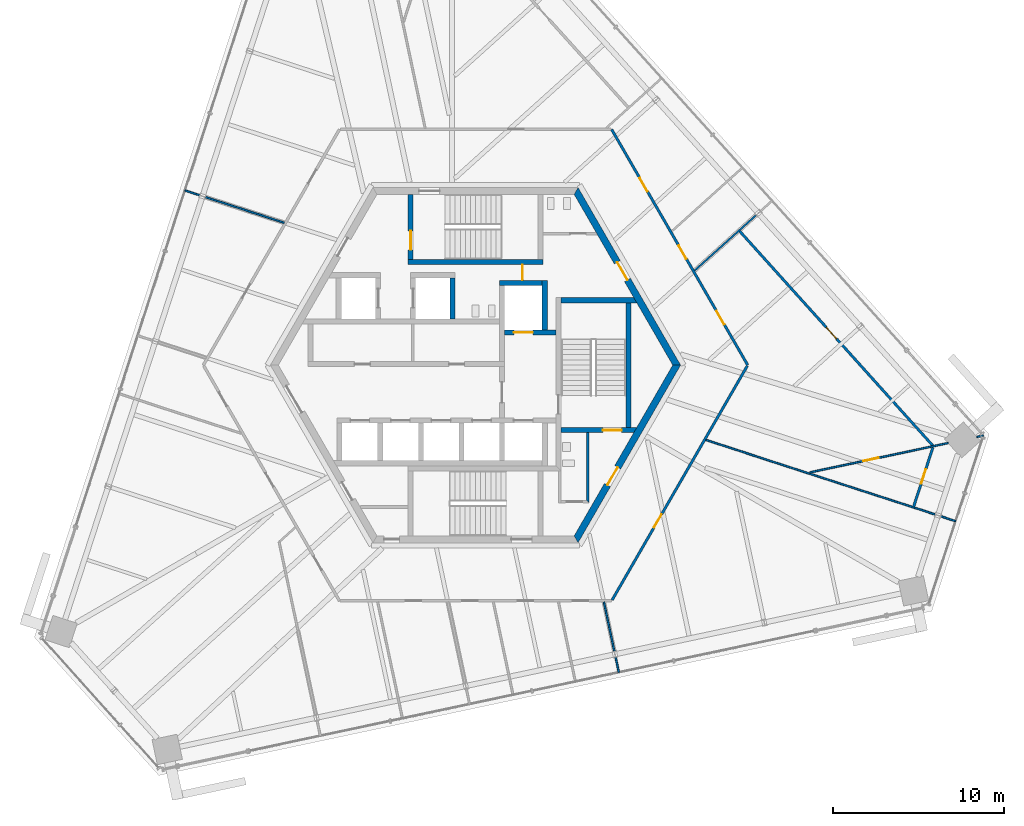
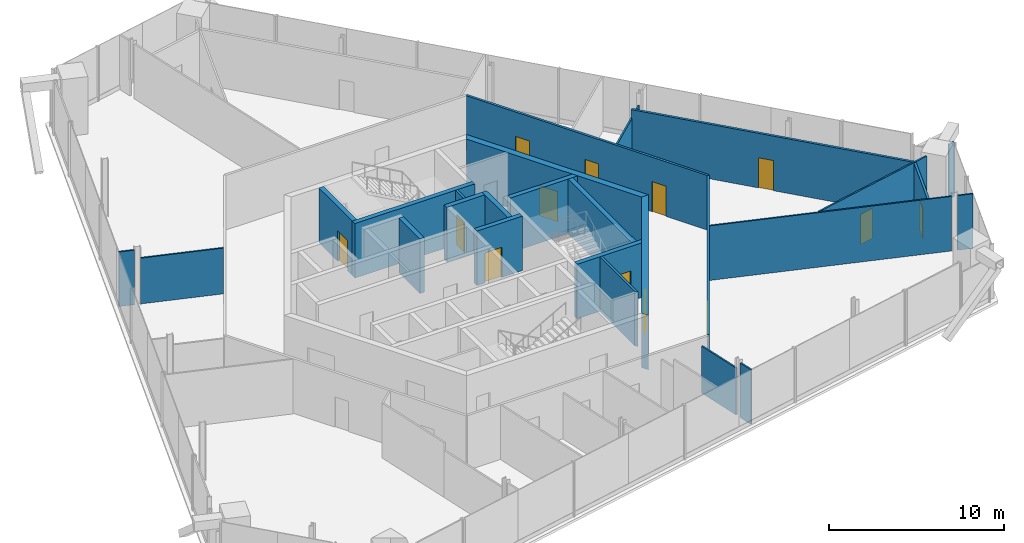
# One storey, part 12 of 16: 26 walls, 13 doors, 13 openings.
"""IFC4 building model written with IfcOpenShell, lengths in metres."""

from ifc_helpers import new_model, si_unit, direction, frame, frame_2d, origin, place, context, subcontext, project, spatial, polyline, rectangle, outline, extrude, source, transform, mapped, material, layer, layer_set, type_object, element, fill, save


model = new_model("IFC4")

# Units and contexts
model_context = context("Model", 3, precision=1e-05, world=origin(), true_north=direction((0.0, 1.0)))
body_context = subcontext(model_context, "Body", "Model", "MODEL_VIEW")
ifc_project = project(units=[si_unit("LENGTHUNIT", "METRE"), si_unit("AREAUNIT", "SQUARE_METRE"), si_unit("VOLUMEUNIT", "CUBIC_METRE"), si_unit("PLANEANGLEUNIT", "RADIAN"), si_unit("MASSUNIT", "GRAM", prefix="KILO")], contexts=[model_context])

# Site, building, storey
site_placement = place(None, origin())
site = spatial("IfcSite", under=ifc_project, at=site_placement, CompositionType="ELEMENT")
building_placement = place(site_placement, origin())
building = spatial("IfcBuilding", under=site, at=building_placement, Name="Triune Harvest Tower", CompositionType="ELEMENT")
storey_placement = place(building_placement, frame((0.0, 0.0, 292.699951171875)))
storey = spatial("IfcBuildingStorey", under=building, at=storey_placement, Name="L77", CompositionType="ELEMENT", Elevation=292.699951171875)

# Wall
ifc_material_1 = material(Name="Concrete masonry unit", Category="masonry")
ifc_layer_1 = layer(ifc_material_1, 0.14990234375)
ifc_layer_set_1 = layer_set([ifc_layer_1], Name="Concrete masonry unit")
wall_type_1 = type_object("IfcWallType", Name="Block partition 150 unrated", PredefinedType="PARTITIONING", material=ifc_layer_set_1)
wall_1_placement = place(storey_placement, frame((6.574951171875, -8.0, 0.0), z_axis=(0.0, 0.0, 1.0), x_axis=(0.0, 1.0, 0.0)))
element("IfcWall", 1, at=wall_1_placement, inside=storey, type_object=wall_type_1, Name="Wc acc east wall", PredefinedType="PARTITIONING", context=body_context, shape_type="SweptSolid", body=[
    extrude(outline(polyline([(-0.074951171875, -0.074951171875), (4.050048828125, -0.074951171875), (4.050048828125, 0.074951171875), (0.074951171875, 0.074951171875), (-0.074951171875, -0.074951171875)])), origin(), (0.0, 0.0, 1.0), 3.800048828125),
])

# Wall, opening, door
wall_2_placement = place(storey_placement, frame((2.75, 4.9599609375, 0.0), z_axis=(0.0, 0.0, 1.0), x_axis=(0.0, 1.0, 0.0)))
wall_2 = element("IfcWall", 2, at=wall_2_placement, inside=storey, type_object=wall_type_1, Name="Wc men east b wall", PredefinedType="PARTITIONING", context=body_context, shape_type="SweptSolid", body=[
    extrude(rectangle(XDim=0.929931640625, YDim=0.14990234375, at=frame_2d((0.46484375, 0.0))), origin(), (0.0, 0.0, 1.0), 3.800048828125),
])
opening_1_placement = place(wall_2_placement, frame((0.014892578125, 0.0, 0.0)))
opening_1 = element("IfcOpeningElement", 3, at=opening_1_placement, cuts=wall_2, Name="Opening CD-WM", PredefinedType="OPENING", context=body_context, shape_type="SweptSolid", body=[
    extrude(rectangle(XDim=0.89990234375, YDim=2.10009765625, at=frame_2d((0.449951171875, 1.050048828125))), frame((0.0, 0.0849609375, 0.0), z_axis=(0.0, -1.0, 0.0), x_axis=(1.0, 0.0, 0.0)), (0.0, 0.0, 1.0), 0.169921875),
])
ifc_material_2 = material(Name="Timber C24", Category="wood")
door_type_1 = type_object("IfcDoorType", Name="WC door 900", OperationType="SINGLE_SWING_LEFT", PredefinedType="DOOR", material=ifc_material_2)
door_1_placement = place(opening_1_placement, origin())
door_1 = element("IfcDoor", 4, at=door_1_placement, inside=storey, type_object=door_type_1, Name="Door CD-WM", OperationType="SINGLE_SWING_LEFT", OverallHeight=2.10009765625, OverallWidth=0.89990234375, PredefinedType="DOOR", context=body_context, shape_type="SweptSolid", body=[
    extrude(rectangle(XDim=0.89990234375, YDim=2.10009765625, at=frame_2d((0.449951171875, 1.050048828125))), frame((0.0, 0.02490234375, 0.0), z_axis=(0.0, -1.0, 0.0), x_axis=(1.0, 0.0, 0.0)), (0.0, 0.0, 1.0), 0.050048828125),
])
fill(opening_1, door_1)

# Walls
ifc_material_3 = material(Name="Concrete 70 MPa", Category="concrete")
ifc_layer_2 = layer(ifc_material_3, 0.300048828125)
ifc_layer_set_2 = layer_set([ifc_layer_2], Name="Concrete 70 MPa")
wall_type_2 = type_object("IfcWallType", Name="Core wall 300", PredefinedType="SHEAR", material=ifc_layer_set_2)
wall_3_placement = place(storey_placement, frame((4.050048828125, 2.06005859375, 0.0), z_axis=(0.0, 0.0, 1.0), x_axis=(0.0, 1.0, 0.0)))
element("IfcWall", 5, at=wall_3_placement, inside=storey, type_object=wall_type_2, Name="Ff1 east wall", PredefinedType="SHEAR", context=body_context, shape_type="SweptSolid", body=[
    extrude(rectangle(XDim=2.89990234375, YDim=0.300048828125, at=frame_2d((1.449951171875, 0.0))), origin(), (0.0, 0.0, 1.0), 3.800048828125),
])
wall_4_placement = place(storey_placement, frame((5.0, 3.800048828125, 0.0), z_axis=(0.0, 0.0, 1.0), x_axis=(1.0, 0.0, 0.0)))
element("IfcWall", 6, at=wall_4_placement, inside=storey, type_object=wall_type_2, Name="Stair e north wall", PredefinedType="SHEAR", context=body_context, shape_type="SweptSolid", body=[
    extrude(outline(polyline([(0.0, -0.14990234375), (0.0, 0.14990234375), (4.260009765625, 0.14990234375), (4.43310546875, -0.14990234375), (0.0, -0.14990234375)])), origin(), (0.0, 0.0, 1.0), 3.800048828125),
])

# Wall, opening, door
wall_5_placement = place(storey_placement, frame((5.0, -3.800048828125, 0.0), z_axis=(0.0, 0.0, 1.0), x_axis=(1.0, 0.0, 0.0)))
wall_5 = element("IfcWall", 7, at=wall_5_placement, inside=storey, type_object=wall_type_2, Name="Stair e south wall", PredefinedType="SHEAR", context=body_context, shape_type="SweptSolid", body=[
    extrude(outline(polyline([(0.0, -0.14990234375), (0.0, 0.14990234375), (4.43310546875, 0.14990234375), (4.260009765625, -0.14990234375), (0.0, -0.14990234375)])), origin(), (0.0, 0.0, 1.0), 3.800048828125),
])
opening_2_placement = place(wall_5_placement, frame((2.449951171875, 0.0, 0.0)))
opening_2 = element("IfcOpeningElement", 8, at=opening_2_placement, cuts=wall_5, Name="Opening CD-S3D", PredefinedType="OPENING", context=body_context, shape_type="SweptSolid", body=[
    extrude(rectangle(XDim=1.10009765625, YDim=2.10009765625, at=frame_2d((0.550048828125, 1.050048828125))), frame((0.0, 0.16015625, 0.0), z_axis=(0.0, -1.0, 0.0), x_axis=(1.0, 0.0, 0.0)), (0.0, 0.0, 1.0), 0.320068359375),
])
ifc_material_4 = material(Name="Steel S235", Category="steel")
door_type_2 = type_object("IfcDoorType", Name="Stair door 1100 FD120", OperationType="SINGLE_SWING_LEFT", PredefinedType="DOOR", material=ifc_material_4)
door_2_placement = place(opening_2_placement, frame((1.10009765625, 0.0, 0.0), z_axis=(0.0, 0.0, 1.0), x_axis=(-1.0, 0.0, 0.0)))
door_2 = element("IfcDoor", 9, at=door_2_placement, inside=storey, type_object=door_type_2, Name="Door CD-S3D", OperationType="SINGLE_SWING_RIGHT", OverallHeight=2.10009765625, OverallWidth=1.10009765625, PredefinedType="DOOR", context=body_context, shape_type="SweptSolid", body=[
    extrude(rectangle(XDim=1.10009765625, YDim=2.10009765625, at=frame_2d((0.550048828125, 1.050048828125))), frame((0.0, 0.02490234375, 0.0), z_axis=(0.0, -1.0, 0.0), x_axis=(1.0, 0.0, 0.0)), (0.0, 0.0, 1.0), 0.050048828125),
])
fill(opening_2, door_2)

# Walls
wall_6_placement = place(storey_placement, frame((8.949951171875, -3.64990234375, 0.0), z_axis=(0.0, 0.0, 1.0), x_axis=(0.0, 1.0, 0.0)))
element("IfcWall", 10, at=wall_6_placement, inside=storey, type_object=wall_type_2, Name="Stair e east wall", PredefinedType="SHEAR", context=body_context, shape_type="SweptSolid", body=[
    extrude(rectangle(XDim=7.2998046875, YDim=0.300048828125, at=frame_2d((3.64990234375, 0.0))), origin(), (0.0, 0.0, 1.0), 3.800048828125),
])
wall_7_placement = place(storey_placement, frame((-3.949951171875, 6.0400390625, 0.0), z_axis=(0.0, 0.0, 1.0), x_axis=(1.0, 0.0, 0.0)))
element("IfcWall", 11, at=wall_7_placement, inside=storey, type_object=wall_type_2, Name="Stair n south wall", PredefinedType="SHEAR", context=body_context, shape_type="SweptSolid", body=[
    extrude(rectangle(XDim=7.89990234375, YDim=0.300048828125, at=frame_2d((3.949951171875, 0.0))), origin(), (0.0, 0.0, 1.0), 3.800048828125),
])

# Wall, opening, door
ifc_material_5 = material(Name="Gypsum board on steel studs", Category="steel")
ifc_layer_3 = layer(ifc_material_5, 0.14990234375)
ifc_layer_set_3 = layer_set([ifc_layer_3], Name="Gypsum board on steel studs")
wall_type_3 = type_object("IfcWallType", Name="Fire Partition 150 mm", PredefinedType="PARTITIONING", material=ifc_layer_set_3)
wall_8_placement = place(storey_placement, frame((15.419921875, 7.876953125, 0.0), z_axis=(0.0, 0.0, 1.0), x_axis=(0.669124370001, -0.743150440672, 0.0)))
wall_8 = element("IfcWall", 12, at=wall_8_placement, inside=storey, type_object=wall_type_3, Name="Partition L77 015", PredefinedType="PARTITIONING", context=body_context, shape_type="SweptSolid", body=[
    extrude(rectangle(XDim=16.981689453125, YDim=0.14990234375, at=frame_2d((8.49072265625, 0.0))), origin(), (0.0, 0.0, 1.0), 3.800048828125),
])
opening_3_placement = place(wall_8_placement, frame((7.631591796875, 0.0, 0.0)))
opening_3 = element("IfcOpeningElement", 13, at=opening_3_placement, cuts=wall_8, Name="Opening L77-002", PredefinedType="OPENING", context=body_context, shape_type="SweptSolid", body=[
    extrude(rectangle(XDim=0.89990234375, YDim=2.10009765625, at=frame_2d((0.449951171875, 1.050048828125))), frame((0.0, 0.0849609375, 0.0), z_axis=(0.0, -1.0, 0.0), x_axis=(1.0, 0.0, 0.0)), (0.0, 0.0, 1.0), 0.169921875),
])
ifc_material_6 = material(Name="Timber and steel door set", Category="steel")
door_type_3 = type_object("IfcDoorType", Name="Single leaf door FD30 left hand 900 x 2100", OperationType="SINGLE_SWING_LEFT", PredefinedType="DOOR", material=ifc_material_6)
door_3_placement = place(opening_3_placement, origin())
door_3 = element("IfcDoor", 14, at=door_3_placement, inside=storey, type_object=door_type_3, Name="Door L77-002 Dry Store Room 77.02", OperationType="SINGLE_SWING_LEFT", OverallHeight=2.10009765625, OverallWidth=0.89990234375, PredefinedType="DOOR", context=body_context, shape_type="SweptSolid", body=[
    extrude(rectangle(XDim=0.89990234375, YDim=2.10009765625, at=frame_2d((0.449951171875, 1.050048828125))), frame((0.0, 0.02490234375, 0.0), z_axis=(0.0, -1.0, 0.0), x_axis=(1.0, 0.0, 0.0)), (0.0, 0.0, 1.0), 0.050048828125),
])
fill(opening_3, door_3)

wall_9_placement = place(storey_placement, frame((7.988037109375, -13.7490234375, 0.0), z_axis=(0.0, 0.0, 1.0), x_axis=(0.499989971604, 0.866031193604, 0.0)))
wall_9 = element("IfcWall", 15, at=wall_9_placement, inside=storey, type_object=wall_type_3, Name="Partition L77 033", PredefinedType="PARTITIONING", context=body_context, shape_type="SweptSolid", body=[
    extrude(rectangle(XDim=15.825927734375, YDim=0.14990234375, at=frame_2d((7.9130859375, 0.0))), origin(), (0.0, 0.0, 1.0), 3.800048828125),
])
opening_4_placement = place(wall_9_placement, frame((4.89990234375, 0.0, 0.0)))
opening_4 = element("IfcOpeningElement", 16, at=opening_4_placement, cuts=wall_9, Name="Opening L77-018", PredefinedType="OPENING", context=body_context, shape_type="SweptSolid", body=[
    extrude(rectangle(XDim=0.89990234375, YDim=2.10009765625, at=frame_2d((0.449951171875, 1.050048828125))), frame((0.0, 0.0849609375, 0.0), z_axis=(0.0, -1.0, 0.0), x_axis=(1.0, 0.0, 0.0)), (0.0, 0.0, 1.0), 0.169921875),
])
ifc_material_7 = material(Name="Timber and steel door set", Category="steel")
door_type_4 = type_object("IfcDoorType", Name="Single leaf door FD30 right hand 900 x 2100", OperationType="SINGLE_SWING_RIGHT", PredefinedType="DOOR", material=ifc_material_7)
door_4_placement = place(opening_4_placement, origin())
door_4 = element("IfcDoor", 17, at=door_4_placement, inside=storey, type_object=door_type_4, Name="Door L77-018 Conference Meeting Room 77.18", OperationType="SINGLE_SWING_RIGHT", OverallHeight=2.10009765625, OverallWidth=0.89990234375, PredefinedType="DOOR", context=body_context, shape_type="SweptSolid", body=[
    extrude(rectangle(XDim=0.89990234375, YDim=2.10009765625, at=frame_2d((0.449951171875, 1.050048828125))), frame((0.0, 0.02490234375, 0.0), z_axis=(0.0, -1.0, 0.0), x_axis=(1.0, 0.0, 0.0)), (0.0, 0.0, 1.0), 0.050048828125),
])
fill(opening_4, door_4)

wall_10_placement = place(storey_placement, frame((25.62841796875, -8.295654296875, 0.0), z_axis=(0.0, 0.0, 1.0), x_axis=(0.309006037064, 0.951060076471, 0.0)))
wall_10 = element("IfcWall", 18, at=wall_10_placement, inside=storey, type_object=wall_type_3, Name="Partition L77 035", PredefinedType="PARTITIONING", context=body_context, shape_type="SweptSolid", body=[
    extrude(rectangle(XDim=3.65576171875, YDim=0.14990234375, at=frame_2d((1.827880859375, 0.0))), origin(), (0.0, 0.0, 1.0), 3.800048828125),
])
opening_5_placement = place(wall_10_placement, frame((1.419921875, 0.0, 0.0)))
opening_5 = element("IfcOpeningElement", 19, at=opening_5_placement, cuts=wall_10, Name="Opening L77-020", PredefinedType="OPENING", context=body_context, shape_type="SweptSolid", body=[
    extrude(rectangle(XDim=0.89990234375, YDim=2.10009765625, at=frame_2d((0.449951171875, 1.050048828125))), frame((0.0, 0.0849609375, 0.0), z_axis=(0.0, -1.0, 0.0), x_axis=(1.0, 0.0, 0.0)), (0.0, 0.0, 1.0), 0.169921875),
])
door_5_placement = place(opening_5_placement, origin())
door_5 = element("IfcDoor", 20, at=door_5_placement, inside=storey, type_object=door_type_3, Name="Door L77-020 Dry Store Room 77.20", OperationType="SINGLE_SWING_LEFT", OverallHeight=2.10009765625, OverallWidth=0.89990234375, PredefinedType="DOOR", context=body_context, shape_type="SweptSolid", body=[
    extrude(rectangle(XDim=0.89990234375, YDim=2.10009765625, at=frame_2d((0.449951171875, 1.050048828125))), frame((0.0, 0.02490234375, 0.0), z_axis=(0.0, -1.0, 0.0), x_axis=(1.0, 0.0, 0.0)), (0.0, 0.0, 1.0), 0.050048828125),
])
fill(opening_5, door_5)

# Wall
ifc_material_8 = material(Name="Gypsum board on steel studs", Category="steel")
ifc_layer_4 = layer(ifc_material_8, 0.10009765625)
ifc_layer_set_4 = layer_set([ifc_layer_4], Name="Gypsum board on steel studs")
wall_type_4 = type_object("IfcWallType", Name="Partition 100 mm", PredefinedType="PARTITIONING", material=ifc_layer_set_4)
wall_11_placement = place(storey_placement, frame((13.476806640625, -4.378662109375, 0.0), z_axis=(0.0, 0.0, 1.0), x_axis=(0.951052248275, -0.309030129681, 0.0)))
element("IfcWall", 21, at=wall_11_placement, inside=storey, type_object=wall_type_4, Name="Partition L77 019", PredefinedType="PARTITIONING", context=body_context, shape_type="SweptSolid", body=[
    extrude(rectangle(XDim=14.111328125, YDim=0.10009765625, at=frame_2d((7.0556640625, 0.0))), origin(), (0.0, 0.0, 1.0), 3.800048828125),
])

# Wall, opening, door
wall_12_placement = place(storey_placement, frame((19.552978515625, -6.279541015625, 0.0), z_axis=(0.0, 0.0, 1.0), x_axis=(0.978146492478, 0.207916904682, 0.0)))
wall_12 = element("IfcWall", 22, at=wall_12_placement, inside=storey, type_object=wall_type_4, Name="Partition L77 025", PredefinedType="PARTITIONING", context=body_context, shape_type="SweptSolid", body=[
    extrude(rectangle(XDim=8.285400390625, YDim=0.10009765625, at=frame_2d((4.142578125, 0.0))), origin(), (0.0, 0.0, 1.0), 3.800048828125),
])
opening_6_placement = place(wall_12_placement, frame((3.2099609375, 0.0, 0.0)))
opening_6 = element("IfcOpeningElement", 23, at=opening_6_placement, cuts=wall_12, Name="Opening L77-019", PredefinedType="OPENING", context=body_context, shape_type="SweptSolid", body=[
    extrude(rectangle(XDim=0.89990234375, YDim=2.10009765625, at=frame_2d((0.449951171875, 1.050048828125))), frame((0.0, 0.06005859375, 0.0), z_axis=(0.0, -1.0, 0.0), x_axis=(1.0, 0.0, 0.0)), (0.0, 0.0, 1.0), 0.1201171875),
])
ifc_material_9 = material(Name="Timber and steel door set", Category="steel")
door_type_5 = type_object("IfcDoorType", Name="Single leaf door right hand 900 x 2100", OperationType="SINGLE_SWING_RIGHT", PredefinedType="DOOR", material=ifc_material_9)
door_6_placement = place(opening_6_placement, origin())
door_6 = element("IfcDoor", 24, at=door_6_placement, inside=storey, type_object=door_type_5, Name="Door L77-019 Observation Lounge 77.19", OperationType="SINGLE_SWING_RIGHT", OverallHeight=2.10009765625, OverallWidth=0.89990234375, PredefinedType="DOOR", context=body_context, shape_type="SweptSolid", body=[
    extrude(rectangle(XDim=0.89990234375, YDim=2.10009765625, at=frame_2d((0.449951171875, 1.050048828125))), frame((0.0, 0.02490234375, 0.0), z_axis=(0.0, -1.0, 0.0), x_axis=(1.0, 0.0, 0.0)), (0.0, 0.0, 1.0), 0.050048828125),
])
fill(opening_6, door_6)

# Wall
wall_13_placement = place(storey_placement, frame((12.8125, 5.529541015625, 0.0), z_axis=(0.0, 0.0, 1.0), x_axis=(0.743166544571, 0.669106484074, 0.0)))
element("IfcWall", 25, at=wall_13_placement, inside=storey, type_object=wall_type_4, Name="Partition L77 028", PredefinedType="PARTITIONING", context=body_context, shape_type="SweptSolid", body=[
    extrude(rectangle(XDim=4.8525390625, YDim=0.10009765625, at=frame_2d((2.42626953125, 0.0))), origin(), (0.0, 0.0, 1.0), 3.187744140625),
])

# Wall, opening, door
ifc_material_10 = material(Name="Concrete 70 MPa", Category="concrete")
ifc_layer_5 = layer(ifc_material_10, 0.39990234375)
ifc_layer_set_5 = layer_set([ifc_layer_5], Name="Concrete 70 MPa")
wall_type_5 = type_object("IfcWallType", Name="Core wall 400", PredefinedType="SHEAR", material=ifc_layer_set_5)
shared_shape_1 = source(origin(), body_context, "Body", "SweptSolid", [
    extrude(outline(polyline([(-0.115478515625, -0.199951171875), (11.884521484375, -0.199951171875), (11.653564453125, 0.199951171875), (0.115478515625, 0.199951171875), (-0.115478515625, -0.199951171875)])), origin(), (0.0, 0.0, 1.0), 3.800048828125),
])
wall_14_placement = place(storey_placement, frame((11.76904296875, 0.0, 0.0), z_axis=(0.0, 0.0, 1.0), x_axis=(-0.499996592174, 0.866027371285, 0.0)))
wall_14 = element("IfcWall", 26, at=wall_14_placement, inside=storey, type_object=wall_type_5, Name="Hexagon 0 wall", PredefinedType="SHEAR", context=body_context, shape_type="MappedRepresentation", body=[
    mapped(shared_shape_1, transform((0.0, 0.0, 0.0), scale=1.0)),
])
opening_7_placement = place(wall_14_placement, frame((5.75048828125, 0.0, 0.0)))
opening_7 = element("IfcOpeningElement", 27, at=opening_7_placement, cuts=wall_14, Name="Opening CD-WCP", PredefinedType="OPENING", context=body_context, shape_type="SweptSolid", body=[
    extrude(rectangle(XDim=1.199951171875, YDim=2.10009765625, at=frame_2d((0.60009765625, 1.050048828125))), frame((0.0, 0.2099609375, 0.0), z_axis=(0.0, -1.0, 0.0), x_axis=(1.0, 0.0, 0.0)), (0.0, 0.0, 1.0), 0.419921875),
])
ifc_material_11 = material(Name="Steel S235", Category="steel")
door_type_6 = type_object("IfcDoorType", Name="Lobby door 1200 FD120", OperationType="SINGLE_SWING_LEFT", PredefinedType="DOOR", material=ifc_material_11)
door_7_placement = place(opening_7_placement, frame((1.199951171875, 0.0, 0.0), z_axis=(0.0, 0.0, 1.0), x_axis=(-1.0, 0.0, 0.0)))
door_7 = element("IfcDoor", 28, at=door_7_placement, inside=storey, type_object=door_type_6, Name="Door CD-WCP", OperationType="SINGLE_SWING_RIGHT", OverallHeight=2.10009765625, OverallWidth=1.199951171875, PredefinedType="DOOR", context=body_context, shape_type="SweptSolid", body=[
    extrude(rectangle(XDim=1.199951171875, YDim=2.10009765625, at=frame_2d((0.60009765625, 1.050048828125))), frame((0.0, 0.02490234375, 0.0), z_axis=(0.0, -1.0, 0.0), x_axis=(1.0, 0.0, 0.0)), (0.0, 0.0, 1.0), 0.050048828125),
])
fill(opening_7, door_7)

wall_15_placement = place(storey_placement, frame((5.884521484375, -10.1923828125, 0.0), z_axis=(0.0, 0.0, 1.0), x_axis=(0.499996592174, 0.866027371285, 0.0)))
wall_15 = element("IfcWall", 29, at=wall_15_placement, inside=storey, type_object=wall_type_5, Name="Hexagon 5 wall", PredefinedType="SHEAR", context=body_context, shape_type="MappedRepresentation", body=[
    mapped(shared_shape_1, transform((0.0, 0.0, 0.0), scale=1.0)),
])
opening_8_placement = place(wall_15_placement, frame((3.66455078125, 0.0, 0.0)))
opening_8 = element("IfcOpeningElement", 30, at=opening_8_placement, cuts=wall_15, Name="Opening CD-DP", PredefinedType="OPENING", context=body_context, shape_type="SweptSolid", body=[
    extrude(rectangle(XDim=1.199951171875, YDim=2.10009765625, at=frame_2d((0.60009765625, 1.050048828125))), frame((0.0, 0.2099609375, 0.0), z_axis=(0.0, -1.0, 0.0), x_axis=(1.0, 0.0, 0.0)), (0.0, 0.0, 1.0), 0.419921875),
])
ifc_material_12 = material(Name="Steel S235", Category="steel")
door_type_7 = type_object("IfcDoorType", Name="Stair door 1200 FD120", OperationType="SINGLE_SWING_LEFT", PredefinedType="DOOR", material=ifc_material_12)
door_8_placement = place(opening_8_placement, frame((1.199951171875, 0.0, 0.0), z_axis=(0.0, 0.0, 1.0), x_axis=(-1.0, 0.0, 0.0)))
door_8 = element("IfcDoor", 31, at=door_8_placement, inside=storey, type_object=door_type_7, Name="Door CD-DP", OperationType="SINGLE_SWING_RIGHT", OverallHeight=2.10009765625, OverallWidth=1.199951171875, PredefinedType="DOOR", context=body_context, shape_type="SweptSolid", body=[
    extrude(rectangle(XDim=1.199951171875, YDim=2.10009765625, at=frame_2d((0.60009765625, 1.050048828125))), frame((0.0, 0.02490234375, 0.0), z_axis=(0.0, -1.0, 0.0), x_axis=(1.0, 0.0, 0.0)), (0.0, 0.0, 1.0), 0.050048828125),
])
fill(opening_8, door_8)

# Wall
shared_shape_2 = source(origin(), body_context, "Body", "SweptSolid", [
    extrude(rectangle(XDim=2.5, YDim=0.300048828125, at=frame_2d((1.25, 0.0))), origin(), (0.0, 0.0, 1.0), 3.800048828125),
])
wall_16_placement = place(storey_placement, frame((1.39990234375, 4.81005859375, 0.0), z_axis=(0.0, 0.0, 1.0), x_axis=(1.0, 0.0, 0.0)))
element("IfcWall", 32, at=wall_16_placement, inside=storey, type_object=wall_type_2, Name="Ff1 back wall", PredefinedType="SHEAR", context=body_context, shape_type="MappedRepresentation", body=[
    mapped(shared_shape_2, transform((0.0, 0.0, 0.0), scale=1.0)),
])

# Wall, opening, door
shared_shape_3 = source(origin(), body_context, "Body", "SweptSolid", [
    extrude(rectangle(XDim=3.0, YDim=0.300048828125, at=frame_2d((1.5, 0.0))), origin(), (0.0, 0.0, 1.0), 3.800048828125),
])
wall_17_placement = place(storey_placement, frame((1.699951171875, 1.909912109375, 0.0), z_axis=(0.0, 0.0, 1.0), x_axis=(1.0, 0.0, 0.0)))
wall_17 = element("IfcWall", 33, at=wall_17_placement, inside=storey, type_object=wall_type_2, Name="Ff1 front wall", PredefinedType="SHEAR", context=body_context, shape_type="MappedRepresentation", body=[
    mapped(shared_shape_3, transform((0.0, 0.0, 0.0), scale=1.0)),
])
opening_9_placement = place(wall_17_placement, frame((0.550048828125, 0.0, 0.0)))
opening_9 = element("IfcOpeningElement", 34, at=opening_9_placement, cuts=wall_17, Name="Opening LD-FF1-77", PredefinedType="OPENING", context=body_context, shape_type="SweptSolid", body=[
    extrude(rectangle(XDim=1.10009765625, YDim=2.10009765625, at=frame_2d((0.550048828125, 1.050048828125))), frame((0.0, 0.16015625, 0.0), z_axis=(0.0, -1.0, 0.0), x_axis=(1.0, 0.0, 0.0)), (0.0, 0.0, 1.0), 0.320068359375),
])
ifc_material_13 = material(Name="Stainless steel AISI 304", Category="steel")
door_type_8 = type_object("IfcDoorType", Name="Landing door 1100 x 2100", OperationType="DOUBLE_DOOR_SLIDING", PredefinedType="DOOR", material=ifc_material_13)
door_9_placement = place(opening_9_placement, origin())
door_9 = element("IfcDoor", 35, at=door_9_placement, inside=storey, type_object=door_type_8, Name="Door LD-FF1-77", OperationType="DOUBLE_DOOR_SLIDING", OverallHeight=2.10009765625, OverallWidth=1.10009765625, PredefinedType="DOOR", context=body_context, shape_type="SweptSolid", body=[
    extrude(rectangle(XDim=1.10009765625, YDim=2.10009765625, at=frame_2d((0.550048828125, 1.050048828125))), frame((0.0, 0.02490234375, 0.0), z_axis=(0.0, -1.0, 0.0), x_axis=(1.0, 0.0, 0.0)), (0.0, 0.0, 1.0), 0.050048828125),
])
fill(opening_9, door_9)

shared_shape_4 = source(origin(), body_context, "Body", "SweptSolid", [
    extrude(outline(polyline([(0.0, -0.14990234375), (0.0, 0.14990234375), (3.80419921875, 0.14990234375), (3.80419921875, -0.14990234375), (0.0, -0.14990234375)])), origin(), (0.0, 0.0, 1.0), 3.800048828125),
])
wall_18_placement = place(storey_placement, frame((-3.800048828125, 6.18994140625, 0.0), z_axis=(0.0, 0.0, 1.0), x_axis=(0.0, 1.0, 0.0)))
wall_18 = element("IfcWall", 36, at=wall_18_placement, inside=storey, type_object=wall_type_2, Name="Stair n west wall", PredefinedType="SHEAR", context=body_context, shape_type="MappedRepresentation", body=[
    mapped(shared_shape_4, transform((0.0, 0.0, 0.0), scale=1.0)),
])
opening_10_placement = place(wall_18_placement, frame((0.56005859375, 0.0, 0.0)))
opening_10 = element("IfcOpeningElement", 37, at=opening_10_placement, cuts=wall_18, Name="Opening CD-S1L", PredefinedType="OPENING", context=body_context, shape_type="SweptSolid", body=[
    extrude(rectangle(XDim=1.10009765625, YDim=2.10009765625, at=frame_2d((0.550048828125, 1.050048828125))), frame((0.0, 0.16015625, 0.0), z_axis=(0.0, -1.0, 0.0), x_axis=(1.0, 0.0, 0.0)), (0.0, 0.0, 1.0), 0.320068359375),
])
door_10_placement = place(opening_10_placement, frame((1.10009765625, 0.0, 0.0), z_axis=(0.0, 0.0, 1.0), x_axis=(-1.0, 0.0, 0.0)))
door_10 = element("IfcDoor", 38, at=door_10_placement, inside=storey, type_object=door_type_2, Name="Door CD-S1L", OperationType="SINGLE_SWING_RIGHT", OverallHeight=2.10009765625, OverallWidth=1.10009765625, PredefinedType="DOOR", context=body_context, shape_type="SweptSolid", body=[
    extrude(rectangle(XDim=1.10009765625, YDim=2.10009765625, at=frame_2d((0.550048828125, 1.050048828125))), frame((0.0, 0.02490234375, 0.0), z_axis=(0.0, -1.0, 0.0), x_axis=(1.0, 0.0, 0.0)), (0.0, 0.0, 1.0), 0.050048828125),
])
fill(opening_10, door_10)

# Walls
shared_shape_5 = source(origin(), body_context, "Body", "SweptSolid", [
    extrude(rectangle(XDim=2.400146484375, YDim=0.300048828125, at=frame_2d((1.2001953125, 0.0))), origin(), (0.0, 0.0, 1.0), 3.800048828125),
])
wall_19_placement = place(storey_placement, frame((-1.35009765625, 2.7099609375, 0.0), z_axis=(0.0, 0.0, 1.0), x_axis=(0.0, 1.0, 0.0)))
element("IfcWall", 39, at=wall_19_placement, inside=storey, type_object=wall_type_2, Name="Sv2 east wall", PredefinedType="SHEAR", context=body_context, shape_type="MappedRepresentation", body=[
    mapped(shared_shape_5, transform((0.0, 0.0, 0.0), scale=1.0)),
])
shared_shape_6 = source(origin(), body_context, "Body", "SweptSolid", [
    extrude(rectangle(XDim=0.915283203125, YDim=0.10009765625, at=frame_2d((0.45751953125, 0.0))), origin(), (0.0, 0.0, 1.0), 3.800048828125),
])
for number, where, z_axis, x_axis, name in (
    (40, (27.221435546875, -8.8447265625, 0.0), (0.0, 0.0, 1.0), (0.951004658838, -0.309176549675, 0.0), "Partition L77 020"),
    (41, (-17.00439453125, 10.21875, 0.0), (0.0, 0.0, 1.0), (0.951108522522, -0.308856889815, 0.0), "Partition L77 021"),
):
    element("IfcWall", number, at=place(storey_placement, frame(where, z_axis=z_axis, x_axis=x_axis)), inside=storey, type_object=wall_type_4, Name=name, PredefinedType="PARTITIONING", context=body_context, shape_type="MappedRepresentation", body=[
        mapped(shared_shape_6, transform((0.0, 0.0, 0.0), scale=1.0)),
    ])
shared_shape_7 = source(origin(), body_context, "Body", "SweptSolid", [
    extrude(rectangle(XDim=4.852294921875, YDim=0.10009765625, at=frame_2d((2.42626953125, 0.0))), origin(), (0.0, 0.0, 1.0), 3.187744140625),
])
wall_20_placement = place(storey_placement, frame((-15.809814453125, 9.830810546875, 0.0), z_axis=(0.0, 0.0, 1.0), x_axis=(0.951051075925, -0.309033737611, 0.0)))
element("IfcWall", 42, at=wall_20_placement, inside=storey, type_object=wall_type_4, Name="Partition L77 022", PredefinedType="PARTITIONING", context=body_context, shape_type="MappedRepresentation", body=[
    mapped(shared_shape_7, transform((0.0, 0.0, 0.0), scale=1.0)),
])
shared_shape_8 = source(origin(), body_context, "Body", "SweptSolid", [
    extrude(rectangle(XDim=0.91552734375, YDim=0.10009765625, at=frame_2d((0.457763671875, 0.0))), origin(), (0.0, 0.0, 1.0), 3.800048828125),
])
wall_21_placement = place(storey_placement, frame((8.195068359375, -17.083984375, 0.0), z_axis=(0.0, 0.0, 1.0), x_axis=(0.207999082957, -0.978129020881, 0.0)))
element("IfcWall", 43, at=wall_21_placement, inside=storey, type_object=wall_type_4, Name="Partition L77 011", PredefinedType="PARTITIONING", context=body_context, shape_type="MappedRepresentation", body=[
    mapped(shared_shape_8, transform((0.0, 0.0, 0.0), scale=1.0)),
])
shared_shape_9 = source(origin(), body_context, "Body", "SweptSolid", [
    extrude(rectangle(XDim=2.95458984375, YDim=0.10009765625, at=frame_2d((1.477294921875, 0.0))), origin(), (0.0, 0.0, 1.0), 3.26416015625),
])
wall_22_placement = place(storey_placement, frame((7.510009765625, -13.86083984375, 0.0), z_axis=(0.0, 0.0, 1.0), x_axis=(0.207892355412, -0.978151710401, 0.0)))
element("IfcWall", 44, at=wall_22_placement, inside=storey, type_object=wall_type_4, Name="Partition L77 010", PredefinedType="PARTITIONING", context=body_context, shape_type="MappedRepresentation", body=[
    mapped(shared_shape_9, transform((0.0, 0.0, 0.0), scale=1.0)),
])

# Wall, openings, doors
shared_shape_10 = source(origin(), body_context, "Body", "SweptSolid", [
    extrude(rectangle(XDim=15.92626953125, YDim=0.14990234375, at=frame_2d((7.963134765625, 0.0))), origin(), (0.0, 0.0, 1.0), 3.800048828125),
])
wall_23_placement = place(storey_placement, frame((7.962890625, 13.79248046875, 0.0), z_axis=(0.0, 0.0, 1.0), x_axis=(0.50000199926, -0.866024249508, 0.0)))
wall_23 = element("IfcWall", 45, at=wall_23_placement, inside=storey, type_object=wall_type_3, Name="Partition L77 013", PredefinedType="PARTITIONING", context=body_context, shape_type="MappedRepresentation", body=[
    mapped(shared_shape_10, transform((0.0, 0.0, 0.0), scale=1.0)),
])
opening_11_placement = place(wall_23_placement, frame((12.276123046875, 0.0, 0.0)))
opening_11 = element("IfcOpeningElement", 46, at=opening_11_placement, cuts=wall_23, Name="Opening L77-001", PredefinedType="OPENING", context=body_context, shape_type="SweptSolid", body=[
    extrude(rectangle(XDim=0.89990234375, YDim=2.10009765625, at=frame_2d((0.449951171875, 1.050048828125))), frame((0.0, 0.0849609375, 0.0), z_axis=(0.0, -1.0, 0.0), x_axis=(1.0, 0.0, 0.0)), (0.0, 0.0, 1.0), 0.169921875),
])
opening_12_placement = place(wall_23_placement, frame((3.287109375, 0.0, 0.0)))
opening_12 = element("IfcOpeningElement", 47, at=opening_12_placement, cuts=wall_23, Name="Opening L77-005", PredefinedType="OPENING", context=body_context, shape_type="SweptSolid", body=[
    extrude(rectangle(XDim=0.89990234375, YDim=2.10009765625, at=frame_2d((0.449951171875, 1.050048828125))), frame((0.0, 0.0849609375, 0.0), z_axis=(0.0, -1.0, 0.0), x_axis=(1.0, 0.0, 0.0)), (0.0, 0.0, 1.0), 0.169921875),
])
opening_13_placement = place(wall_23_placement, frame((7.84521484375, 0.0, 0.0)))
opening_13 = element("IfcOpeningElement", 48, at=opening_13_placement, cuts=wall_23, Name="Opening L77-006", PredefinedType="OPENING", context=body_context, shape_type="SweptSolid", body=[
    extrude(rectangle(XDim=0.89990234375, YDim=2.10009765625, at=frame_2d((0.449951171875, 1.050048828125))), frame((0.0, 0.0849609375, 0.0), z_axis=(0.0, -1.0, 0.0), x_axis=(1.0, 0.0, 0.0)), (0.0, 0.0, 1.0), 0.169921875),
])
door_11_placement = place(opening_12_placement, origin())
door_11 = element("IfcDoor", 49, at=door_11_placement, inside=storey, type_object=door_type_3, Name="Door L77-005 Dry Store Room 77.05", OperationType="SINGLE_SWING_LEFT", OverallHeight=2.10009765625, OverallWidth=0.89990234375, PredefinedType="DOOR", context=body_context, shape_type="SweptSolid", body=[
    extrude(rectangle(XDim=0.89990234375, YDim=2.10009765625, at=frame_2d((0.449951171875, 1.050048828125))), frame((0.0, 0.02490234375, 0.0), z_axis=(0.0, -1.0, 0.0), x_axis=(1.0, 0.0, 0.0)), (0.0, 0.0, 1.0), 0.050048828125),
])
fill(opening_12, door_11)
door_12_placement = place(opening_11_placement, origin())
door_12 = element("IfcDoor", 50, at=door_12_placement, inside=storey, type_object=door_type_4, Name="Door L77-001 Exhibition Room 77.01", OperationType="SINGLE_SWING_RIGHT", OverallHeight=2.10009765625, OverallWidth=0.89990234375, PredefinedType="DOOR", context=body_context, shape_type="SweptSolid", body=[
    extrude(rectangle(XDim=0.89990234375, YDim=2.10009765625, at=frame_2d((0.449951171875, 1.050048828125))), frame((0.0, 0.02490234375, 0.0), z_axis=(0.0, -1.0, 0.0), x_axis=(1.0, 0.0, 0.0)), (0.0, 0.0, 1.0), 0.050048828125),
])
fill(opening_11, door_12)
door_13_placement = place(opening_13_placement, origin())
door_13 = element("IfcDoor", 51, at=door_13_placement, inside=storey, type_object=door_type_4, Name="Door L77-006 Dry Store Room 77.06", OperationType="SINGLE_SWING_RIGHT", OverallHeight=2.10009765625, OverallWidth=0.89990234375, PredefinedType="DOOR", context=body_context, shape_type="SweptSolid", body=[
    extrude(rectangle(XDim=0.89990234375, YDim=2.10009765625, at=frame_2d((0.449951171875, 1.050048828125))), frame((0.0, 0.02490234375, 0.0), z_axis=(0.0, -1.0, 0.0), x_axis=(1.0, 0.0, 0.0)), (0.0, 0.0, 1.0), 0.050048828125),
])
fill(opening_13, door_13)

# Wall
shared_shape_11 = source(origin(), body_context, "Body", "SweptSolid", [
    extrude(rectangle(XDim=0.399169921875, YDim=0.10009765625, at=frame_2d((0.19970703125, 0.0))), origin(), (0.0, 0.0, 1.0), 3.800048828125),
])
wall_24_placement = place(storey_placement, frame((29.3291015625, -4.201416015625, 0.0), z_axis=(0.0, 0.0, 1.0), x_axis=(0.9781324137, 0.207983127366, 0.0)))
element("IfcWall", 52, at=wall_24_placement, inside=storey, type_object=wall_type_4, Name="Partition L77 026", PredefinedType="PARTITIONING", context=body_context, shape_type="MappedRepresentation", body=[
    mapped(shared_shape_11, transform((0.0, 0.0, 0.0), scale=1.0)),
])

save(model, "model.ifc")
